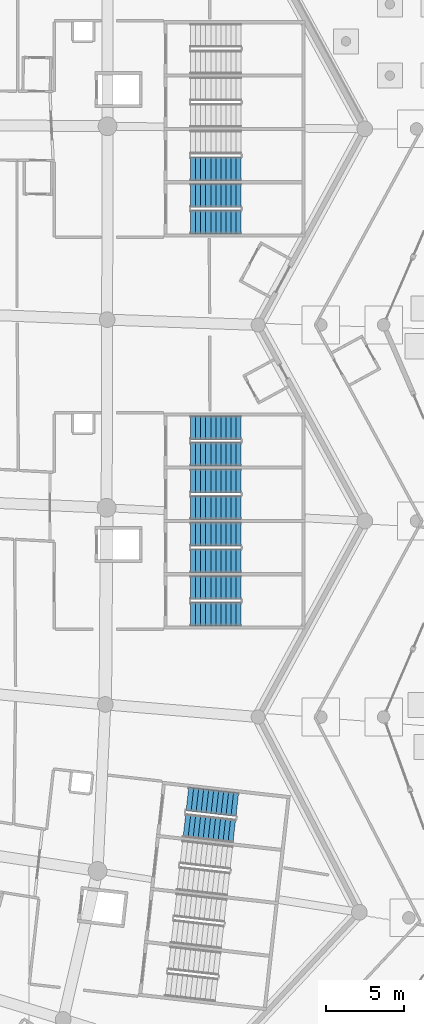
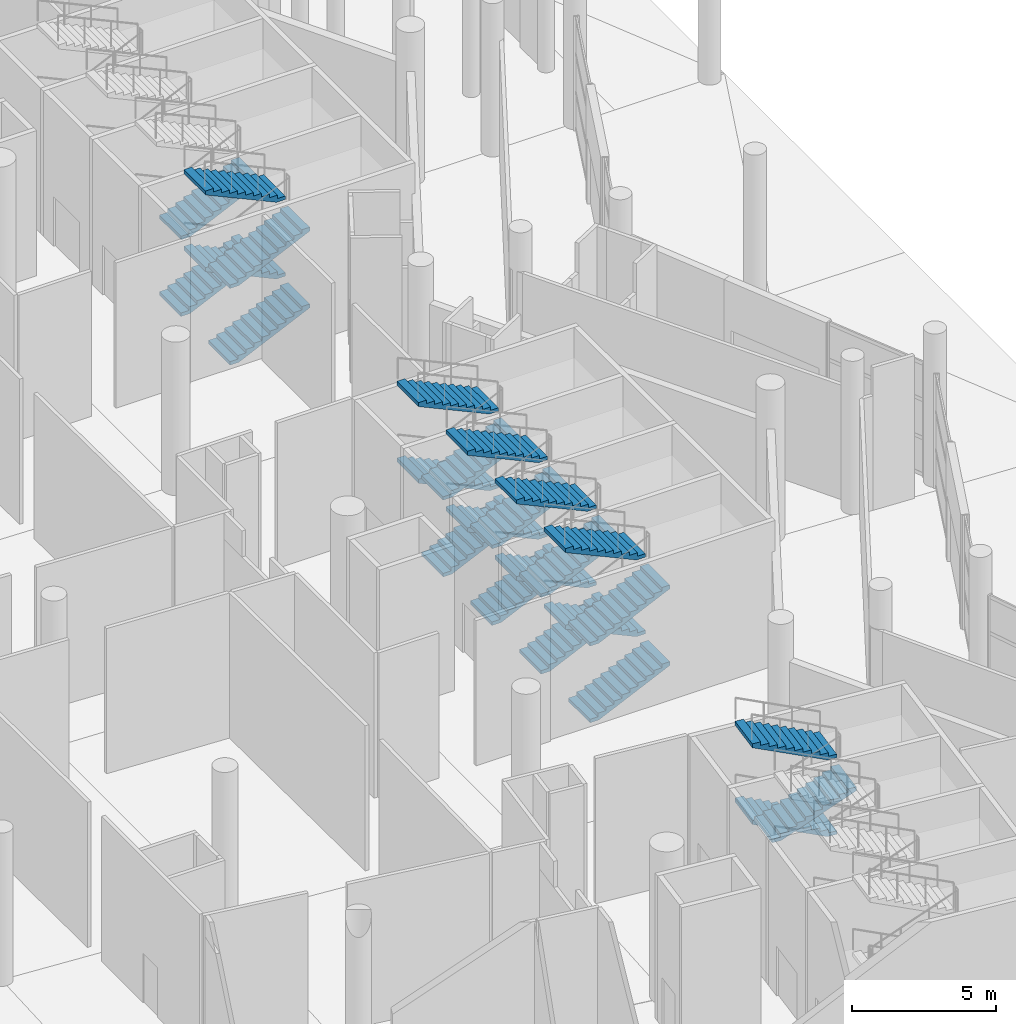
# One storey, part 170 of 255: 25 stair flights, 7 elements without a shape of their own.
"""IFC4 building model written with IfcOpenShell, lengths in metres."""

import ifcopenshell
import ifcopenshell.guid

model = None  # the IFC model being written
_history = None  # IfcOwnerHistory: only IFC2X3 demands one
_inside = {}  # id of a spatial element -> (the spatial element, [elements in it])
_under = {}  # id of a project, library or spatial element -> (it, [spatial elements below it])
_declared = {}  # id of a project -> (the project, [libraries it declares])
_typed = {}  # id of a type object -> (the type object, [elements of that type])
_made_of = {}  # id of a material, layer set ... -> (it, [elements and type objects made of it])


def new_model(schema):
    """Start an empty IFC model of exactly this schema.

    Asked for "IFC4X3", IfcOpenShell would pick the latest addendum, in which some entities
    have other attributes; the version numbers below select the first issue.
    IFC2X3 requires an IfcOwnerHistory on every rooted entity: one is made here for all.
    """
    global model, _history
    if schema == "IFC4X3":
        model = ifcopenshell.file(schema_version=(4, 3, 0, 0))
    else:
        model = ifcopenshell.file(schema=schema)
    _inside.clear()
    _under.clear()
    _declared.clear()
    _typed.clear()
    _made_of.clear()
    _history = None
    if model.schema == "IFC2X3":
        org = make("IfcOrganization", Name="unknown")
        user = make(
            "IfcPersonAndOrganization",
            ThePerson=make("IfcPerson", FamilyName="unknown"),
            TheOrganization=org,
        )
        app = make(
            "IfcApplication",
            ApplicationDeveloper=org,
            Version="unknown",
            ApplicationFullName="unknown",
            ApplicationIdentifier="unknown",
        )
        _history = make(
            "IfcOwnerHistory",
            OwningUser=user,
            OwningApplication=app,
            ChangeAction="ADDED",
            CreationDate=0,
        )
    return model


def make(cls, **values):
    """One entity of the class cls with the attributes given. An attribute that is None is left unset."""
    return model.create_entity(
        cls, **{name: value for name, value in values.items() if value is not None}
    )


def rooted(cls, **values):
    """An entity with a GlobalId (a new one), such as an element, a storey or a relation."""
    return make(cls, GlobalId=ifcopenshell.guid.new(), OwnerHistory=_history, **values)


def si_unit(unit_type, name, prefix=None):
    """IfcSIUnit, for example si_unit("LENGTHUNIT", "METRE", prefix="MILLI")."""
    return make("IfcSIUnit", UnitType=unit_type, Prefix=prefix, Name=name)


def assignment(units):
    """IfcUnitAssignment: the units of a project."""
    return None if units is None else make("IfcUnitAssignment", Units=units)


def point(xyz):
    """IfcCartesianPoint."""
    return None if xyz is None else make("IfcCartesianPoint", Coordinates=xyz)


def direction(xyz):
    """IfcDirection."""
    return None if xyz is None else make("IfcDirection", DirectionRatios=xyz)


def frame(location, z_axis=None, x_axis=None):
    """IfcAxis2Placement3D, a coordinate frame: its origin and axes. An axis left out is left unset."""
    return make(
        "IfcAxis2Placement3D",
        Location=point(location),
        Axis=direction(z_axis),
        RefDirection=direction(x_axis),
    )


def origin():
    """The frame at (0, 0, 0) with its axes left unset."""
    return frame((0.0, 0.0, 0.0))


def place(relative_to, where):
    """IfcLocalPlacement: puts the frame where relative to a parent placement (None: the world)."""
    return make(
        "IfcLocalPlacement", PlacementRelTo=relative_to, RelativePlacement=where
    )


def context(
    kind, dimensions, precision=None, world=None, true_north=None, identifier=None
):
    """IfcGeometricRepresentationContext, for example the 3D "Model" context."""
    return make(
        "IfcGeometricRepresentationContext",
        ContextIdentifier=identifier,
        ContextType=kind,
        CoordinateSpaceDimension=dimensions,
        Precision=precision,
        WorldCoordinateSystem=world,
        TrueNorth=true_north,
    )


def subcontext(parent, identifier, kind, view, scale=None):
    """IfcGeometricRepresentationSubContext, for example "Body" below "Model"."""
    return make(
        "IfcGeometricRepresentationSubContext",
        ContextIdentifier=identifier,
        ContextType=kind,
        ParentContext=parent,
        TargetScale=scale,
        TargetView=view,
    )


def project(units=None, contexts=None):
    """IfcProject with its units and contexts."""
    return rooted(
        "IfcProject",
        Name="project",
        RepresentationContexts=contexts,
        UnitsInContext=assignment(units),
    )


def spatial(cls, under=None, at=None, **own):
    """A site, building, storey or space (cls), placed at a placement, below another one or the project."""
    s = rooted(cls, ObjectPlacement=at, **own)
    if under is not None:
        _under.setdefault(under.id(), (under, []))[1].append(s)
    return s


def polyline(points):
    """IfcPolyline through the points."""
    return make("IfcPolyline", Points=[point(p) for p in points])


def outline(outer, holes=None, kind="AREA"):
    """IfcArbitraryClosedProfileDef: a profile drawn as a closed curve; with holes, ...WithVoids."""
    if holes is None:
        return make("IfcArbitraryClosedProfileDef", ProfileType=kind, OuterCurve=outer)
    return make(
        "IfcArbitraryProfileDefWithVoids",
        ProfileType=kind,
        OuterCurve=outer,
        InnerCurves=holes,
    )


def extrude(swept, where, along, depth):
    """IfcExtrudedAreaSolid: the profile swept, set in the frame where, extruded along a direction by depth."""
    return make(
        "IfcExtrudedAreaSolid",
        SweptArea=swept,
        Position=where,
        ExtrudedDirection=direction(along),
        Depth=depth,
    )


def shape(context_of_items, identifier, shape_type, items):
    """IfcShapeRepresentation: the items that make up one representation, for example the "Body"."""
    return make(
        "IfcShapeRepresentation",
        ContextOfItems=context_of_items,
        RepresentationIdentifier=identifier,
        RepresentationType=shape_type,
        Items=items,
    )


def material(Name=None, Category=None):
    """IfcMaterial."""
    return make("IfcMaterial", Name=Name, Category=Category)


def made_of(thing, what):
    """Note that an element or type object is made of a material, layer set ...; save() writes the relation."""
    if what is not None:
        _made_of.setdefault(what.id(), (what, []))[1].append(thing)
    return thing


def type_object(cls, material=None, **own):
    """A type object (cls), such as IfcWallType, which elements share."""
    return made_of(rooted(cls, **own), material)


def element(
    cls,
    number,
    at=None,
    inside=None,
    cuts=None,
    type_object=None,
    material=None,
    context=None,
    identifier="Body",
    shape_type=None,
    held_by="IfcProductDefinitionShape",
    body=None,
    shapes=None,
    **own,
):
    """One element of the class cls, such as IfcWall. Its Tag is "e" and its number.

    at: its placement. inside: the storey or other place that contains it. cuts: it is an
    opening in that element (IfcRelVoidsElement). A single representation is given by context,
    identifier, shape_type and body (its items); several are given by shapes. held_by: the class
    of the entity that holds the representations. save() writes the other relations.
    """
    e = rooted(cls, Tag="e%d" % number, ObjectPlacement=at, **own)
    if body is not None:
        shapes = [shape(context, identifier, shape_type, body)]
    if shapes is not None:
        e.Representation = make(held_by, Representations=shapes)
    if inside is not None:
        _inside.setdefault(inside.id(), (inside, []))[1].append(e)
    if cuts is not None:
        rooted(
            "IfcRelVoidsElement", RelatingBuildingElement=cuts, RelatedOpeningElement=e
        )
    if type_object is not None:
        _typed.setdefault(type_object.id(), (type_object, []))[1].append(e)
    return made_of(e, material)


def aggregate(whole, parts):
    """IfcRelAggregates: a whole, such as a stair, and the parts it consists of."""
    return rooted("IfcRelAggregates", RelatingObject=whole, RelatedObjects=parts)


def save(model, path):
    """Write the relations noted so far, then the file.

    IfcRelAggregates (storeys below a building ...), IfcRelContainedInSpatialStructure (elements
    in a storey), IfcRelDefinesByType, IfcRelAssociatesMaterial and IfcRelDeclares: one each for
    every whole, place, type object, material and project.
    """
    for whole, parts in _under.values():
        aggregate(whole, parts)
    for where, things in _inside.values():
        rooted(
            "IfcRelContainedInSpatialStructure",
            RelatedElements=things,
            RelatingStructure=where,
        )
    for kind, things in _typed.values():
        rooted("IfcRelDefinesByType", RelatedObjects=things, RelatingType=kind)
    for what, things in _made_of.values():
        rooted("IfcRelAssociatesMaterial", RelatedObjects=things, RelatingMaterial=what)
    for by, libraries in _declared.values():
        rooted("IfcRelDeclares", RelatingContext=by, RelatedDefinitions=libraries)
    model.write(path)


model = new_model("IFC4")

# Units and contexts
model_context = context("Model", 3, precision=1e-05, world=origin(), true_north=direction((0.0, 1.0)))
body_context = subcontext(model_context, "Body", "Model", "MODEL_VIEW")
ifc_project = project(units=[si_unit("LENGTHUNIT", "METRE"), si_unit("AREAUNIT", "SQUARE_METRE"), si_unit("VOLUMEUNIT", "CUBIC_METRE"), si_unit("PLANEANGLEUNIT", "RADIAN"), si_unit("MASSUNIT", "GRAM", prefix="KILO")], contexts=[model_context])

# Site, building, storey
site_placement = place(None, origin())
site = spatial("IfcSite", under=ifc_project, at=site_placement, CompositionType="ELEMENT")
building_placement = place(site_placement, origin())
building = spatial("IfcBuilding", under=site, at=building_placement, Name="Meseta Stadium", CompositionType="ELEMENT")
storey_placement = place(building_placement, origin())
storey = spatial("IfcBuildingStorey", under=building, at=storey_placement, Name="L00", CompositionType="ELEMENT", Elevation=0.0)

# Stair, stair flights
ifc_material_1 = material(Name="Concrete C40/50", Category="concrete")
stair_type = type_object("IfcStairType", Name="Exit stair 4 flights 148 mm risers", PredefinedType="HALF_TURN_STAIR", material=ifc_material_1)
stair_1_placement = place(storey_placement, origin())
stair_1 = element("IfcStair", 1, at=stair_1_placement, inside=storey, type_object=stair_type, Name="ST4 L00", PredefinedType="HALF_TURN_STAIR")
ifc_material_2 = material(Name="Concrete C40/50", Category="concrete")
stair_flight_type = type_object("IfcStairFlightType", Name="Exit stair flight 148 mm risers, 4 per storey", PredefinedType="STRAIGHT", material=ifc_material_2)
stair_flight_1_placement = place(storey_placement, frame((93.271240234375, -49.338623046875, 1.625), z_axis=(0.0, 0.0, 1.0), x_axis=(-0.993712210731, 0.11196446867, 0.0)))
stair_flight_1 = element("IfcStairFlight", 2, at=stair_flight_1_placement, type_object=stair_flight_type, Name="ST4 L00 flight 2", NumberOfRisers=11, NumberOfTreads=10, PredefinedType="STRAIGHT", RiserHeight=0.147727273, TreadLength=0.32, context=body_context, shape_type="SweptSolid", body=[
    extrude(outline(polyline([(0.0, 0.0), (0.0, 0.147705078125), (0.320068359375, 0.147705078125), (0.320068359375, 0.29541015625), (0.639892578125, 0.29541015625), (0.639892578125, 0.443115234375), (0.9599609375, 0.443115234375), (0.9599609375, 0.5908203125), (1.280029296875, 0.5908203125), (1.280029296875, 0.738525390625), (1.60009765625, 0.738525390625), (1.60009765625, 0.886474609375), (1.919921875, 0.886474609375), (1.919921875, 1.0341796875), (2.239990234375, 1.0341796875), (2.239990234375, 1.181884765625), (2.56005859375, 1.181884765625), (2.56005859375, 1.32958984375), (2.8798828125, 1.32958984375), (2.8798828125, 1.477294921875), (3.199951171875, 1.477294921875), (3.199951171875, 1.312255859375), (0.357666015625, 0.0), (0.0, 0.0)])), frame((0.0, 0.75, 0.0), z_axis=(0.0, -1.0, 0.0), x_axis=(1.0, 0.0, 0.0)), (0.0, 0.0, 1.0), 1.5),
])
stair_flight_2_placement = place(storey_placement, frame((89.901123046875, -50.669677734375, 3.25), z_axis=(0.0, 0.0, 1.0), x_axis=(0.993712210731, -0.11196446867, 0.0)))
stair_flight_2 = element("IfcStairFlight", 3, at=stair_flight_2_placement, type_object=stair_flight_type, Name="ST4 L00 flight 3", NumberOfRisers=11, NumberOfTreads=10, PredefinedType="STRAIGHT", RiserHeight=0.147727273, TreadLength=0.32, context=body_context, shape_type="SweptSolid", body=[
    extrude(outline(polyline([(0.0, 0.0), (0.0, 0.147705078125), (0.320068359375, 0.147705078125), (0.320068359375, 0.29541015625), (0.639892578125, 0.29541015625), (0.639892578125, 0.443115234375), (0.9599609375, 0.443115234375), (0.9599609375, 0.5908203125), (1.280029296875, 0.5908203125), (1.280029296875, 0.738525390625), (1.60009765625, 0.738525390625), (1.60009765625, 0.886474609375), (1.919921875, 0.886474609375), (1.919921875, 1.0341796875), (2.239990234375, 1.0341796875), (2.239990234375, 1.181884765625), (2.56005859375, 1.181884765625), (2.56005859375, 1.32958984375), (2.8798828125, 1.32958984375), (2.8798828125, 1.477294921875), (3.199951171875, 1.477294921875), (3.199951171875, 1.312255859375), (0.357666015625, 0.0), (0.0, 0.0)])), frame((0.0, 0.75, 0.0), z_axis=(0.0, -1.0, 0.0), x_axis=(1.0, 0.0, 0.0)), (0.0, 0.0, 1.0), 1.5),
])
stair_flight_3_placement = place(storey_placement, frame((93.271240234375, -49.338623046875, 4.875), z_axis=(0.0, 0.0, 1.0), x_axis=(-0.993712210731, 0.11196446867, 0.0)))
stair_flight_3 = element("IfcStairFlight", 4, at=stair_flight_3_placement, type_object=stair_flight_type, Name="ST4 L00 flight 4", NumberOfRisers=11, NumberOfTreads=10, PredefinedType="STRAIGHT", RiserHeight=0.147727273, TreadLength=0.32, context=body_context, shape_type="SweptSolid", body=[
    extrude(outline(polyline([(0.0, 0.0), (0.0, 0.147705078125), (0.320068359375, 0.147705078125), (0.320068359375, 0.29541015625), (0.639892578125, 0.29541015625), (0.639892578125, 0.443115234375), (0.9599609375, 0.443115234375), (0.9599609375, 0.5908203125), (1.280029296875, 0.5908203125), (1.280029296875, 0.738525390625), (1.60009765625, 0.738525390625), (1.60009765625, 0.886474609375), (1.919921875, 0.886474609375), (1.919921875, 1.0341796875), (2.239990234375, 1.0341796875), (2.239990234375, 1.181884765625), (2.56005859375, 1.181884765625), (2.56005859375, 1.32958984375), (2.8798828125, 1.32958984375), (2.8798828125, 1.477294921875), (3.199951171875, 1.477294921875), (3.199951171875, 1.312255859375), (0.357666015625, 0.0), (0.0, 0.0)])), frame((0.0, 0.75, 0.0), z_axis=(0.0, -1.0, 0.0), x_axis=(1.0, 0.0, 0.0)), (0.0, 0.0, 1.0), 1.5),
])
aggregate(stair_1, [stair_flight_1, stair_flight_2, stair_flight_3])

stair_2_placement = place(storey_placement, origin())
stair_2 = element("IfcStair", 5, at=stair_2_placement, inside=storey, type_object=stair_type, Name="ST5 L00", PredefinedType="HALF_TURN_STAIR")
stair_flight_4_placement = place(storey_placement, frame((90.300048828125, -37.199951171875, 0.0), z_axis=(0.0, 0.0, 1.0), x_axis=(1.0, 0.0, 0.0)))
stair_flight_4 = element("IfcStairFlight", 6, at=stair_flight_4_placement, type_object=stair_flight_type, Name="ST5 L00 flight 1", NumberOfRisers=11, NumberOfTreads=10, PredefinedType="STRAIGHT", RiserHeight=0.147727273, TreadLength=0.32, context=body_context, shape_type="SweptSolid", body=[
    extrude(outline(polyline([(0.0, 0.0), (0.0, 0.147705078125), (0.320068359375, 0.147705078125), (0.320068359375, 0.29541015625), (0.639892578125, 0.29541015625), (0.639892578125, 0.443115234375), (0.9599609375, 0.443115234375), (0.9599609375, 0.5908203125), (1.280029296875, 0.5908203125), (1.280029296875, 0.738525390625), (1.60009765625, 0.738525390625), (1.60009765625, 0.886474609375), (1.919921875, 0.886474609375), (1.919921875, 1.0341796875), (2.239990234375, 1.0341796875), (2.239990234375, 1.181884765625), (2.56005859375, 1.181884765625), (2.56005859375, 1.32958984375), (2.8798828125, 1.32958984375), (2.8798828125, 1.477294921875), (3.199951171875, 1.477294921875), (3.199951171875, 1.312255859375), (0.357666015625, 0.0), (0.0, 0.0)])), frame((0.0, 0.75, 0.0), z_axis=(0.0, -1.0, 0.0), x_axis=(1.0, 0.0, 0.0)), (0.0, 0.0, 1.0), 1.5),
])
stair_flight_5_placement = place(storey_placement, frame((93.5, -35.5, 1.625), z_axis=(0.0, 0.0, 1.0), x_axis=(-1.0, 0.0, 0.0)))
stair_flight_5 = element("IfcStairFlight", 7, at=stair_flight_5_placement, type_object=stair_flight_type, Name="ST5 L00 flight 2", NumberOfRisers=11, NumberOfTreads=10, PredefinedType="STRAIGHT", RiserHeight=0.147727273, TreadLength=0.32, context=body_context, shape_type="SweptSolid", body=[
    extrude(outline(polyline([(0.0, 0.0), (0.0, 0.147705078125), (0.320068359375, 0.147705078125), (0.320068359375, 0.29541015625), (0.639892578125, 0.29541015625), (0.639892578125, 0.443115234375), (0.9599609375, 0.443115234375), (0.9599609375, 0.5908203125), (1.280029296875, 0.5908203125), (1.280029296875, 0.738525390625), (1.60009765625, 0.738525390625), (1.60009765625, 0.886474609375), (1.919921875, 0.886474609375), (1.919921875, 1.0341796875), (2.239990234375, 1.0341796875), (2.239990234375, 1.181884765625), (2.56005859375, 1.181884765625), (2.56005859375, 1.32958984375), (2.8798828125, 1.32958984375), (2.8798828125, 1.477294921875), (3.199951171875, 1.477294921875), (3.199951171875, 1.312255859375), (0.357666015625, 0.0), (0.0, 0.0)])), frame((0.0, 0.75, 0.0), z_axis=(0.0, -1.0, 0.0), x_axis=(1.0, 0.0, 0.0)), (0.0, 0.0, 1.0), 1.5),
])
stair_flight_6_placement = place(storey_placement, frame((90.300048828125, -37.199951171875, 3.25), z_axis=(0.0, 0.0, 1.0), x_axis=(1.0, 0.0, 0.0)))
stair_flight_6 = element("IfcStairFlight", 8, at=stair_flight_6_placement, type_object=stair_flight_type, Name="ST5 L00 flight 3", NumberOfRisers=11, NumberOfTreads=10, PredefinedType="STRAIGHT", RiserHeight=0.147727273, TreadLength=0.32, context=body_context, shape_type="SweptSolid", body=[
    extrude(outline(polyline([(0.0, 0.0), (0.0, 0.147705078125), (0.320068359375, 0.147705078125), (0.320068359375, 0.29541015625), (0.639892578125, 0.29541015625), (0.639892578125, 0.443115234375), (0.9599609375, 0.443115234375), (0.9599609375, 0.5908203125), (1.280029296875, 0.5908203125), (1.280029296875, 0.738525390625), (1.60009765625, 0.738525390625), (1.60009765625, 0.886474609375), (1.919921875, 0.886474609375), (1.919921875, 1.0341796875), (2.239990234375, 1.0341796875), (2.239990234375, 1.181884765625), (2.56005859375, 1.181884765625), (2.56005859375, 1.32958984375), (2.8798828125, 1.32958984375), (2.8798828125, 1.477294921875), (3.199951171875, 1.477294921875), (3.199951171875, 1.312255859375), (0.357666015625, 0.0), (0.0, 0.0)])), frame((0.0, 0.75, 0.0), z_axis=(0.0, -1.0, 0.0), x_axis=(1.0, 0.0, 0.0)), (0.0, 0.0, 1.0), 1.5),
])
stair_flight_7_placement = place(storey_placement, frame((93.5, -35.5, 4.875), z_axis=(0.0, 0.0, 1.0), x_axis=(-1.0, 0.0, 0.0)))
stair_flight_7 = element("IfcStairFlight", 9, at=stair_flight_7_placement, type_object=stair_flight_type, Name="ST5 L00 flight 4", NumberOfRisers=11, NumberOfTreads=10, PredefinedType="STRAIGHT", RiserHeight=0.147727273, TreadLength=0.32, context=body_context, shape_type="SweptSolid", body=[
    extrude(outline(polyline([(0.0, 0.0), (0.0, 0.147705078125), (0.320068359375, 0.147705078125), (0.320068359375, 0.29541015625), (0.639892578125, 0.29541015625), (0.639892578125, 0.443115234375), (0.9599609375, 0.443115234375), (0.9599609375, 0.5908203125), (1.280029296875, 0.5908203125), (1.280029296875, 0.738525390625), (1.60009765625, 0.738525390625), (1.60009765625, 0.886474609375), (1.919921875, 0.886474609375), (1.919921875, 1.0341796875), (2.239990234375, 1.0341796875), (2.239990234375, 1.181884765625), (2.56005859375, 1.181884765625), (2.56005859375, 1.32958984375), (2.8798828125, 1.32958984375), (2.8798828125, 1.477294921875), (3.199951171875, 1.477294921875), (3.199951171875, 1.312255859375), (0.357666015625, 0.0), (0.0, 0.0)])), frame((0.0, 0.75, 0.0), z_axis=(0.0, -1.0, 0.0), x_axis=(1.0, 0.0, 0.0)), (0.0, 0.0, 1.0), 1.5),
])
aggregate(stair_2, [stair_flight_4, stair_flight_5, stair_flight_6, stair_flight_7])

stair_3_placement = place(storey_placement, origin())
stair_3 = element("IfcStair", 10, at=stair_3_placement, inside=storey, type_object=stair_type, Name="ST6 L00", PredefinedType="HALF_TURN_STAIR")
stair_flight_8_placement = place(storey_placement, frame((90.300048828125, -33.800048828125, 0.0), z_axis=(0.0, 0.0, 1.0), x_axis=(1.0, 0.0, 0.0)))
stair_flight_8 = element("IfcStairFlight", 11, at=stair_flight_8_placement, type_object=stair_flight_type, Name="ST6 L00 flight 1", NumberOfRisers=11, NumberOfTreads=10, PredefinedType="STRAIGHT", RiserHeight=0.147727273, TreadLength=0.32, context=body_context, shape_type="SweptSolid", body=[
    extrude(outline(polyline([(0.0, 0.0), (0.0, 0.147705078125), (0.320068359375, 0.147705078125), (0.320068359375, 0.29541015625), (0.639892578125, 0.29541015625), (0.639892578125, 0.443115234375), (0.9599609375, 0.443115234375), (0.9599609375, 0.5908203125), (1.280029296875, 0.5908203125), (1.280029296875, 0.738525390625), (1.60009765625, 0.738525390625), (1.60009765625, 0.886474609375), (1.919921875, 0.886474609375), (1.919921875, 1.0341796875), (2.239990234375, 1.0341796875), (2.239990234375, 1.181884765625), (2.56005859375, 1.181884765625), (2.56005859375, 1.32958984375), (2.8798828125, 1.32958984375), (2.8798828125, 1.477294921875), (3.199951171875, 1.477294921875), (3.199951171875, 1.312255859375), (0.357666015625, 0.0), (0.0, 0.0)])), frame((0.0, 0.75, 0.0), z_axis=(0.0, -1.0, 0.0), x_axis=(1.0, 0.0, 0.0)), (0.0, 0.0, 1.0), 1.5),
])
stair_flight_9_placement = place(storey_placement, frame((93.5, -32.10009765625, 1.625), z_axis=(0.0, 0.0, 1.0), x_axis=(-1.0, 0.0, 0.0)))
stair_flight_9 = element("IfcStairFlight", 12, at=stair_flight_9_placement, type_object=stair_flight_type, Name="ST6 L00 flight 2", NumberOfRisers=11, NumberOfTreads=10, PredefinedType="STRAIGHT", RiserHeight=0.147727273, TreadLength=0.32, context=body_context, shape_type="SweptSolid", body=[
    extrude(outline(polyline([(0.0, 0.0), (0.0, 0.147705078125), (0.320068359375, 0.147705078125), (0.320068359375, 0.29541015625), (0.639892578125, 0.29541015625), (0.639892578125, 0.443115234375), (0.9599609375, 0.443115234375), (0.9599609375, 0.5908203125), (1.280029296875, 0.5908203125), (1.280029296875, 0.738525390625), (1.60009765625, 0.738525390625), (1.60009765625, 0.886474609375), (1.919921875, 0.886474609375), (1.919921875, 1.0341796875), (2.239990234375, 1.0341796875), (2.239990234375, 1.181884765625), (2.56005859375, 1.181884765625), (2.56005859375, 1.32958984375), (2.8798828125, 1.32958984375), (2.8798828125, 1.477294921875), (3.199951171875, 1.477294921875), (3.199951171875, 1.312255859375), (0.357666015625, 0.0), (0.0, 0.0)])), frame((0.0, 0.75, 0.0), z_axis=(0.0, -1.0, 0.0), x_axis=(1.0, 0.0, 0.0)), (0.0, 0.0, 1.0), 1.5),
])
stair_flight_10_placement = place(storey_placement, frame((90.300048828125, -33.800048828125, 3.25), z_axis=(0.0, 0.0, 1.0), x_axis=(1.0, 0.0, 0.0)))
stair_flight_10 = element("IfcStairFlight", 13, at=stair_flight_10_placement, type_object=stair_flight_type, Name="ST6 L00 flight 3", NumberOfRisers=11, NumberOfTreads=10, PredefinedType="STRAIGHT", RiserHeight=0.147727273, TreadLength=0.32, context=body_context, shape_type="SweptSolid", body=[
    extrude(outline(polyline([(0.0, 0.0), (0.0, 0.147705078125), (0.320068359375, 0.147705078125), (0.320068359375, 0.29541015625), (0.639892578125, 0.29541015625), (0.639892578125, 0.443115234375), (0.9599609375, 0.443115234375), (0.9599609375, 0.5908203125), (1.280029296875, 0.5908203125), (1.280029296875, 0.738525390625), (1.60009765625, 0.738525390625), (1.60009765625, 0.886474609375), (1.919921875, 0.886474609375), (1.919921875, 1.0341796875), (2.239990234375, 1.0341796875), (2.239990234375, 1.181884765625), (2.56005859375, 1.181884765625), (2.56005859375, 1.32958984375), (2.8798828125, 1.32958984375), (2.8798828125, 1.477294921875), (3.199951171875, 1.477294921875), (3.199951171875, 1.312255859375), (0.357666015625, 0.0), (0.0, 0.0)])), frame((0.0, 0.75, 0.0), z_axis=(0.0, -1.0, 0.0), x_axis=(1.0, 0.0, 0.0)), (0.0, 0.0, 1.0), 1.5),
])
stair_flight_11_placement = place(storey_placement, frame((93.5, -32.10009765625, 4.875), z_axis=(0.0, 0.0, 1.0), x_axis=(-1.0, 0.0, 0.0)))
stair_flight_11 = element("IfcStairFlight", 14, at=stair_flight_11_placement, type_object=stair_flight_type, Name="ST6 L00 flight 4", NumberOfRisers=11, NumberOfTreads=10, PredefinedType="STRAIGHT", RiserHeight=0.147727273, TreadLength=0.32, context=body_context, shape_type="SweptSolid", body=[
    extrude(outline(polyline([(0.0, 0.0), (0.0, 0.147705078125), (0.320068359375, 0.147705078125), (0.320068359375, 0.29541015625), (0.639892578125, 0.29541015625), (0.639892578125, 0.443115234375), (0.9599609375, 0.443115234375), (0.9599609375, 0.5908203125), (1.280029296875, 0.5908203125), (1.280029296875, 0.738525390625), (1.60009765625, 0.738525390625), (1.60009765625, 0.886474609375), (1.919921875, 0.886474609375), (1.919921875, 1.0341796875), (2.239990234375, 1.0341796875), (2.239990234375, 1.181884765625), (2.56005859375, 1.181884765625), (2.56005859375, 1.32958984375), (2.8798828125, 1.32958984375), (2.8798828125, 1.477294921875), (3.199951171875, 1.477294921875), (3.199951171875, 1.312255859375), (0.357666015625, 0.0), (0.0, 0.0)])), frame((0.0, 0.75, 0.0), z_axis=(0.0, -1.0, 0.0), x_axis=(1.0, 0.0, 0.0)), (0.0, 0.0, 1.0), 1.5),
])
aggregate(stair_3, [stair_flight_8, stair_flight_9, stair_flight_10, stair_flight_11])

stair_4_placement = place(storey_placement, origin())
stair_4 = element("IfcStair", 15, at=stair_4_placement, inside=storey, type_object=stair_type, Name="ST7 L00", PredefinedType="HALF_TURN_STAIR")
stair_flight_12_placement = place(storey_placement, frame((90.300048828125, -30.39990234375, 0.0), z_axis=(0.0, 0.0, 1.0), x_axis=(1.0, 0.0, 0.0)))
stair_flight_12 = element("IfcStairFlight", 16, at=stair_flight_12_placement, type_object=stair_flight_type, Name="ST7 L00 flight 1", NumberOfRisers=11, NumberOfTreads=10, PredefinedType="STRAIGHT", RiserHeight=0.147727273, TreadLength=0.32, context=body_context, shape_type="SweptSolid", body=[
    extrude(outline(polyline([(0.0, 0.0), (0.0, 0.147705078125), (0.320068359375, 0.147705078125), (0.320068359375, 0.29541015625), (0.639892578125, 0.29541015625), (0.639892578125, 0.443115234375), (0.9599609375, 0.443115234375), (0.9599609375, 0.5908203125), (1.280029296875, 0.5908203125), (1.280029296875, 0.738525390625), (1.60009765625, 0.738525390625), (1.60009765625, 0.886474609375), (1.919921875, 0.886474609375), (1.919921875, 1.0341796875), (2.239990234375, 1.0341796875), (2.239990234375, 1.181884765625), (2.56005859375, 1.181884765625), (2.56005859375, 1.32958984375), (2.8798828125, 1.32958984375), (2.8798828125, 1.477294921875), (3.199951171875, 1.477294921875), (3.199951171875, 1.312255859375), (0.357666015625, 0.0), (0.0, 0.0)])), frame((0.0, 0.75, 0.0), z_axis=(0.0, -1.0, 0.0), x_axis=(1.0, 0.0, 0.0)), (0.0, 0.0, 1.0), 1.5),
])
stair_flight_13_placement = place(storey_placement, frame((93.5, -28.699951171875, 1.625), z_axis=(0.0, 0.0, 1.0), x_axis=(-1.0, 0.0, 0.0)))
stair_flight_13 = element("IfcStairFlight", 17, at=stair_flight_13_placement, type_object=stair_flight_type, Name="ST7 L00 flight 2", NumberOfRisers=11, NumberOfTreads=10, PredefinedType="STRAIGHT", RiserHeight=0.147727273, TreadLength=0.32, context=body_context, shape_type="SweptSolid", body=[
    extrude(outline(polyline([(0.0, 0.0), (0.0, 0.147705078125), (0.320068359375, 0.147705078125), (0.320068359375, 0.29541015625), (0.639892578125, 0.29541015625), (0.639892578125, 0.443115234375), (0.9599609375, 0.443115234375), (0.9599609375, 0.5908203125), (1.280029296875, 0.5908203125), (1.280029296875, 0.738525390625), (1.60009765625, 0.738525390625), (1.60009765625, 0.886474609375), (1.919921875, 0.886474609375), (1.919921875, 1.0341796875), (2.239990234375, 1.0341796875), (2.239990234375, 1.181884765625), (2.56005859375, 1.181884765625), (2.56005859375, 1.32958984375), (2.8798828125, 1.32958984375), (2.8798828125, 1.477294921875), (3.199951171875, 1.477294921875), (3.199951171875, 1.312255859375), (0.357666015625, 0.0), (0.0, 0.0)])), frame((0.0, 0.75, 0.0), z_axis=(0.0, -1.0, 0.0), x_axis=(1.0, 0.0, 0.0)), (0.0, 0.0, 1.0), 1.5),
])
stair_flight_14_placement = place(storey_placement, frame((90.300048828125, -30.39990234375, 3.25), z_axis=(0.0, 0.0, 1.0), x_axis=(1.0, 0.0, 0.0)))
stair_flight_14 = element("IfcStairFlight", 18, at=stair_flight_14_placement, type_object=stair_flight_type, Name="ST7 L00 flight 3", NumberOfRisers=11, NumberOfTreads=10, PredefinedType="STRAIGHT", RiserHeight=0.147727273, TreadLength=0.32, context=body_context, shape_type="SweptSolid", body=[
    extrude(outline(polyline([(0.0, 0.0), (0.0, 0.147705078125), (0.320068359375, 0.147705078125), (0.320068359375, 0.29541015625), (0.639892578125, 0.29541015625), (0.639892578125, 0.443115234375), (0.9599609375, 0.443115234375), (0.9599609375, 0.5908203125), (1.280029296875, 0.5908203125), (1.280029296875, 0.738525390625), (1.60009765625, 0.738525390625), (1.60009765625, 0.886474609375), (1.919921875, 0.886474609375), (1.919921875, 1.0341796875), (2.239990234375, 1.0341796875), (2.239990234375, 1.181884765625), (2.56005859375, 1.181884765625), (2.56005859375, 1.32958984375), (2.8798828125, 1.32958984375), (2.8798828125, 1.477294921875), (3.199951171875, 1.477294921875), (3.199951171875, 1.312255859375), (0.357666015625, 0.0), (0.0, 0.0)])), frame((0.0, 0.75, 0.0), z_axis=(0.0, -1.0, 0.0), x_axis=(1.0, 0.0, 0.0)), (0.0, 0.0, 1.0), 1.5),
])
stair_flight_15_placement = place(storey_placement, frame((93.5, -28.699951171875, 4.875), z_axis=(0.0, 0.0, 1.0), x_axis=(-1.0, 0.0, 0.0)))
stair_flight_15 = element("IfcStairFlight", 19, at=stair_flight_15_placement, type_object=stair_flight_type, Name="ST7 L00 flight 4", NumberOfRisers=11, NumberOfTreads=10, PredefinedType="STRAIGHT", RiserHeight=0.147727273, TreadLength=0.32, context=body_context, shape_type="SweptSolid", body=[
    extrude(outline(polyline([(0.0, 0.0), (0.0, 0.147705078125), (0.320068359375, 0.147705078125), (0.320068359375, 0.29541015625), (0.639892578125, 0.29541015625), (0.639892578125, 0.443115234375), (0.9599609375, 0.443115234375), (0.9599609375, 0.5908203125), (1.280029296875, 0.5908203125), (1.280029296875, 0.738525390625), (1.60009765625, 0.738525390625), (1.60009765625, 0.886474609375), (1.919921875, 0.886474609375), (1.919921875, 1.0341796875), (2.239990234375, 1.0341796875), (2.239990234375, 1.181884765625), (2.56005859375, 1.181884765625), (2.56005859375, 1.32958984375), (2.8798828125, 1.32958984375), (2.8798828125, 1.477294921875), (3.199951171875, 1.477294921875), (3.199951171875, 1.312255859375), (0.357666015625, 0.0), (0.0, 0.0)])), frame((0.0, 0.75, 0.0), z_axis=(0.0, -1.0, 0.0), x_axis=(1.0, 0.0, 0.0)), (0.0, 0.0, 1.0), 1.5),
])
aggregate(stair_4, [stair_flight_12, stair_flight_13, stair_flight_14, stair_flight_15])

stair_5_placement = place(storey_placement, origin())
stair_5 = element("IfcStair", 20, at=stair_5_placement, inside=storey, type_object=stair_type, Name="ST8 L00", PredefinedType="HALF_TURN_STAIR")
stair_flight_16_placement = place(storey_placement, frame((90.300048828125, -27.0, 0.0), z_axis=(0.0, 0.0, 1.0), x_axis=(1.0, 0.0, 0.0)))
stair_flight_16 = element("IfcStairFlight", 21, at=stair_flight_16_placement, type_object=stair_flight_type, Name="ST8 L00 flight 1", NumberOfRisers=11, NumberOfTreads=10, PredefinedType="STRAIGHT", RiserHeight=0.147727273, TreadLength=0.32, context=body_context, shape_type="SweptSolid", body=[
    extrude(outline(polyline([(0.0, 0.0), (0.0, 0.147705078125), (0.320068359375, 0.147705078125), (0.320068359375, 0.29541015625), (0.639892578125, 0.29541015625), (0.639892578125, 0.443115234375), (0.9599609375, 0.443115234375), (0.9599609375, 0.5908203125), (1.280029296875, 0.5908203125), (1.280029296875, 0.738525390625), (1.60009765625, 0.738525390625), (1.60009765625, 0.886474609375), (1.919921875, 0.886474609375), (1.919921875, 1.0341796875), (2.239990234375, 1.0341796875), (2.239990234375, 1.181884765625), (2.56005859375, 1.181884765625), (2.56005859375, 1.32958984375), (2.8798828125, 1.32958984375), (2.8798828125, 1.477294921875), (3.199951171875, 1.477294921875), (3.199951171875, 1.312255859375), (0.357666015625, 0.0), (0.0, 0.0)])), frame((0.0, 0.75, 0.0), z_axis=(0.0, -1.0, 0.0), x_axis=(1.0, 0.0, 0.0)), (0.0, 0.0, 1.0), 1.5),
])
stair_flight_17_placement = place(storey_placement, frame((93.5, -25.300048828125, 1.625), z_axis=(0.0, 0.0, 1.0), x_axis=(-1.0, 0.0, 0.0)))
stair_flight_17 = element("IfcStairFlight", 22, at=stair_flight_17_placement, type_object=stair_flight_type, Name="ST8 L00 flight 2", NumberOfRisers=11, NumberOfTreads=10, PredefinedType="STRAIGHT", RiserHeight=0.147727273, TreadLength=0.32, context=body_context, shape_type="SweptSolid", body=[
    extrude(outline(polyline([(0.0, 0.0), (0.0, 0.147705078125), (0.320068359375, 0.147705078125), (0.320068359375, 0.29541015625), (0.639892578125, 0.29541015625), (0.639892578125, 0.443115234375), (0.9599609375, 0.443115234375), (0.9599609375, 0.5908203125), (1.280029296875, 0.5908203125), (1.280029296875, 0.738525390625), (1.60009765625, 0.738525390625), (1.60009765625, 0.886474609375), (1.919921875, 0.886474609375), (1.919921875, 1.0341796875), (2.239990234375, 1.0341796875), (2.239990234375, 1.181884765625), (2.56005859375, 1.181884765625), (2.56005859375, 1.32958984375), (2.8798828125, 1.32958984375), (2.8798828125, 1.477294921875), (3.199951171875, 1.477294921875), (3.199951171875, 1.312255859375), (0.357666015625, 0.0), (0.0, 0.0)])), frame((0.0, 0.75, 0.0), z_axis=(0.0, -1.0, 0.0), x_axis=(1.0, 0.0, 0.0)), (0.0, 0.0, 1.0), 1.5),
])
stair_flight_18_placement = place(storey_placement, frame((90.300048828125, -27.0, 3.25), z_axis=(0.0, 0.0, 1.0), x_axis=(1.0, 0.0, 0.0)))
stair_flight_18 = element("IfcStairFlight", 23, at=stair_flight_18_placement, type_object=stair_flight_type, Name="ST8 L00 flight 3", NumberOfRisers=11, NumberOfTreads=10, PredefinedType="STRAIGHT", RiserHeight=0.147727273, TreadLength=0.32, context=body_context, shape_type="SweptSolid", body=[
    extrude(outline(polyline([(0.0, 0.0), (0.0, 0.147705078125), (0.320068359375, 0.147705078125), (0.320068359375, 0.29541015625), (0.639892578125, 0.29541015625), (0.639892578125, 0.443115234375), (0.9599609375, 0.443115234375), (0.9599609375, 0.5908203125), (1.280029296875, 0.5908203125), (1.280029296875, 0.738525390625), (1.60009765625, 0.738525390625), (1.60009765625, 0.886474609375), (1.919921875, 0.886474609375), (1.919921875, 1.0341796875), (2.239990234375, 1.0341796875), (2.239990234375, 1.181884765625), (2.56005859375, 1.181884765625), (2.56005859375, 1.32958984375), (2.8798828125, 1.32958984375), (2.8798828125, 1.477294921875), (3.199951171875, 1.477294921875), (3.199951171875, 1.312255859375), (0.357666015625, 0.0), (0.0, 0.0)])), frame((0.0, 0.75, 0.0), z_axis=(0.0, -1.0, 0.0), x_axis=(1.0, 0.0, 0.0)), (0.0, 0.0, 1.0), 1.5),
])
stair_flight_19_placement = place(storey_placement, frame((93.5, -25.300048828125, 4.875), z_axis=(0.0, 0.0, 1.0), x_axis=(-1.0, 0.0, 0.0)))
stair_flight_19 = element("IfcStairFlight", 24, at=stair_flight_19_placement, type_object=stair_flight_type, Name="ST8 L00 flight 4", NumberOfRisers=11, NumberOfTreads=10, PredefinedType="STRAIGHT", RiserHeight=0.147727273, TreadLength=0.32, context=body_context, shape_type="SweptSolid", body=[
    extrude(outline(polyline([(0.0, 0.0), (0.0, 0.147705078125), (0.320068359375, 0.147705078125), (0.320068359375, 0.29541015625), (0.639892578125, 0.29541015625), (0.639892578125, 0.443115234375), (0.9599609375, 0.443115234375), (0.9599609375, 0.5908203125), (1.280029296875, 0.5908203125), (1.280029296875, 0.738525390625), (1.60009765625, 0.738525390625), (1.60009765625, 0.886474609375), (1.919921875, 0.886474609375), (1.919921875, 1.0341796875), (2.239990234375, 1.0341796875), (2.239990234375, 1.181884765625), (2.56005859375, 1.181884765625), (2.56005859375, 1.32958984375), (2.8798828125, 1.32958984375), (2.8798828125, 1.477294921875), (3.199951171875, 1.477294921875), (3.199951171875, 1.312255859375), (0.357666015625, 0.0), (0.0, 0.0)])), frame((0.0, 0.75, 0.0), z_axis=(0.0, -1.0, 0.0), x_axis=(1.0, 0.0, 0.0)), (0.0, 0.0, 1.0), 1.5),
])
aggregate(stair_5, [stair_flight_16, stair_flight_17, stair_flight_18, stair_flight_19])

stair_6_placement = place(storey_placement, origin())
stair_6 = element("IfcStair", 25, at=stair_6_placement, inside=storey, type_object=stair_type, Name="ST9 L00", PredefinedType="HALF_TURN_STAIR")
stair_flight_20_placement = place(storey_placement, frame((90.300048828125, -12.199951171875, 0.0), z_axis=(0.0, 0.0, 1.0), x_axis=(1.0, 0.0, 0.0)))
stair_flight_20 = element("IfcStairFlight", 26, at=stair_flight_20_placement, type_object=stair_flight_type, Name="ST9 L00 flight 1", NumberOfRisers=11, NumberOfTreads=10, PredefinedType="STRAIGHT", RiserHeight=0.147727273, TreadLength=0.32, context=body_context, shape_type="SweptSolid", body=[
    extrude(outline(polyline([(0.0, 0.0), (0.0, 0.147705078125), (0.320068359375, 0.147705078125), (0.320068359375, 0.29541015625), (0.639892578125, 0.29541015625), (0.639892578125, 0.443115234375), (0.9599609375, 0.443115234375), (0.9599609375, 0.5908203125), (1.280029296875, 0.5908203125), (1.280029296875, 0.738525390625), (1.60009765625, 0.738525390625), (1.60009765625, 0.886474609375), (1.919921875, 0.886474609375), (1.919921875, 1.0341796875), (2.239990234375, 1.0341796875), (2.239990234375, 1.181884765625), (2.56005859375, 1.181884765625), (2.56005859375, 1.32958984375), (2.8798828125, 1.32958984375), (2.8798828125, 1.477294921875), (3.199951171875, 1.477294921875), (3.199951171875, 1.312255859375), (0.357666015625, 0.0), (0.0, 0.0)])), frame((0.0, 0.75, 0.0), z_axis=(0.0, -1.0, 0.0), x_axis=(1.0, 0.0, 0.0)), (0.0, 0.0, 1.0), 1.5),
])
stair_flight_21_placement = place(storey_placement, frame((93.5, -10.5, 1.625), z_axis=(0.0, 0.0, 1.0), x_axis=(-1.0, 0.0, 0.0)))
stair_flight_21 = element("IfcStairFlight", 27, at=stair_flight_21_placement, type_object=stair_flight_type, Name="ST9 L00 flight 2", NumberOfRisers=11, NumberOfTreads=10, PredefinedType="STRAIGHT", RiserHeight=0.147727273, TreadLength=0.32, context=body_context, shape_type="SweptSolid", body=[
    extrude(outline(polyline([(0.0, 0.0), (0.0, 0.147705078125), (0.320068359375, 0.147705078125), (0.320068359375, 0.29541015625), (0.639892578125, 0.29541015625), (0.639892578125, 0.443115234375), (0.9599609375, 0.443115234375), (0.9599609375, 0.5908203125), (1.280029296875, 0.5908203125), (1.280029296875, 0.738525390625), (1.60009765625, 0.738525390625), (1.60009765625, 0.886474609375), (1.919921875, 0.886474609375), (1.919921875, 1.0341796875), (2.239990234375, 1.0341796875), (2.239990234375, 1.181884765625), (2.56005859375, 1.181884765625), (2.56005859375, 1.32958984375), (2.8798828125, 1.32958984375), (2.8798828125, 1.477294921875), (3.199951171875, 1.477294921875), (3.199951171875, 1.312255859375), (0.357666015625, 0.0), (0.0, 0.0)])), frame((0.0, 0.75, 0.0), z_axis=(0.0, -1.0, 0.0), x_axis=(1.0, 0.0, 0.0)), (0.0, 0.0, 1.0), 1.5),
])
stair_flight_22_placement = place(storey_placement, frame((90.300048828125, -12.199951171875, 3.25), z_axis=(0.0, 0.0, 1.0), x_axis=(1.0, 0.0, 0.0)))
stair_flight_22 = element("IfcStairFlight", 28, at=stair_flight_22_placement, type_object=stair_flight_type, Name="ST9 L00 flight 3", NumberOfRisers=11, NumberOfTreads=10, PredefinedType="STRAIGHT", RiserHeight=0.147727273, TreadLength=0.32, context=body_context, shape_type="SweptSolid", body=[
    extrude(outline(polyline([(0.0, 0.0), (0.0, 0.147705078125), (0.320068359375, 0.147705078125), (0.320068359375, 0.29541015625), (0.639892578125, 0.29541015625), (0.639892578125, 0.443115234375), (0.9599609375, 0.443115234375), (0.9599609375, 0.5908203125), (1.280029296875, 0.5908203125), (1.280029296875, 0.738525390625), (1.60009765625, 0.738525390625), (1.60009765625, 0.886474609375), (1.919921875, 0.886474609375), (1.919921875, 1.0341796875), (2.239990234375, 1.0341796875), (2.239990234375, 1.181884765625), (2.56005859375, 1.181884765625), (2.56005859375, 1.32958984375), (2.8798828125, 1.32958984375), (2.8798828125, 1.477294921875), (3.199951171875, 1.477294921875), (3.199951171875, 1.312255859375), (0.357666015625, 0.0), (0.0, 0.0)])), frame((0.0, 0.75, 0.0), z_axis=(0.0, -1.0, 0.0), x_axis=(1.0, 0.0, 0.0)), (0.0, 0.0, 1.0), 1.5),
])
stair_flight_23_placement = place(storey_placement, frame((93.5, -10.5, 4.875), z_axis=(0.0, 0.0, 1.0), x_axis=(-1.0, 0.0, 0.0)))
stair_flight_23 = element("IfcStairFlight", 29, at=stair_flight_23_placement, type_object=stair_flight_type, Name="ST9 L00 flight 4", NumberOfRisers=11, NumberOfTreads=10, PredefinedType="STRAIGHT", RiserHeight=0.147727273, TreadLength=0.32, context=body_context, shape_type="SweptSolid", body=[
    extrude(outline(polyline([(0.0, 0.0), (0.0, 0.147705078125), (0.320068359375, 0.147705078125), (0.320068359375, 0.29541015625), (0.639892578125, 0.29541015625), (0.639892578125, 0.443115234375), (0.9599609375, 0.443115234375), (0.9599609375, 0.5908203125), (1.280029296875, 0.5908203125), (1.280029296875, 0.738525390625), (1.60009765625, 0.738525390625), (1.60009765625, 0.886474609375), (1.919921875, 0.886474609375), (1.919921875, 1.0341796875), (2.239990234375, 1.0341796875), (2.239990234375, 1.181884765625), (2.56005859375, 1.181884765625), (2.56005859375, 1.32958984375), (2.8798828125, 1.32958984375), (2.8798828125, 1.477294921875), (3.199951171875, 1.477294921875), (3.199951171875, 1.312255859375), (0.357666015625, 0.0), (0.0, 0.0)])), frame((0.0, 0.75, 0.0), z_axis=(0.0, -1.0, 0.0), x_axis=(1.0, 0.0, 0.0)), (0.0, 0.0, 1.0), 1.5),
])
aggregate(stair_6, [stair_flight_20, stair_flight_21, stair_flight_22, stair_flight_23])

stair_7_placement = place(storey_placement, origin())
stair_7 = element("IfcStair", 30, at=stair_7_placement, inside=storey, type_object=stair_type, Name="ST10 L00", PredefinedType="HALF_TURN_STAIR")
stair_flight_24_placement = place(storey_placement, frame((90.300048828125, -8.800048828125, 0.0), z_axis=(0.0, 0.0, 1.0), x_axis=(1.0, 0.0, 0.0)))
stair_flight_24 = element("IfcStairFlight", 31, at=stair_flight_24_placement, type_object=stair_flight_type, Name="ST10 L00 flight 1", NumberOfRisers=11, NumberOfTreads=10, PredefinedType="STRAIGHT", RiserHeight=0.147727273, TreadLength=0.32, context=body_context, shape_type="SweptSolid", body=[
    extrude(outline(polyline([(0.0, 0.0), (0.0, 0.147705078125), (0.320068359375, 0.147705078125), (0.320068359375, 0.29541015625), (0.639892578125, 0.29541015625), (0.639892578125, 0.443115234375), (0.9599609375, 0.443115234375), (0.9599609375, 0.5908203125), (1.280029296875, 0.5908203125), (1.280029296875, 0.738525390625), (1.60009765625, 0.738525390625), (1.60009765625, 0.886474609375), (1.919921875, 0.886474609375), (1.919921875, 1.0341796875), (2.239990234375, 1.0341796875), (2.239990234375, 1.181884765625), (2.56005859375, 1.181884765625), (2.56005859375, 1.32958984375), (2.8798828125, 1.32958984375), (2.8798828125, 1.477294921875), (3.199951171875, 1.477294921875), (3.199951171875, 1.312255859375), (0.357666015625, 0.0), (0.0, 0.0)])), frame((0.0, 0.75, 0.0), z_axis=(0.0, -1.0, 0.0), x_axis=(1.0, 0.0, 0.0)), (0.0, 0.0, 1.0), 1.5),
])
stair_flight_25_placement = place(storey_placement, frame((90.300048828125, -8.800048828125, 3.25), z_axis=(0.0, 0.0, 1.0), x_axis=(1.0, 0.0, 0.0)))
stair_flight_25 = element("IfcStairFlight", 32, at=stair_flight_25_placement, type_object=stair_flight_type, Name="ST10 L00 flight 3", NumberOfRisers=11, NumberOfTreads=10, PredefinedType="STRAIGHT", RiserHeight=0.147727273, TreadLength=0.32, context=body_context, shape_type="SweptSolid", body=[
    extrude(outline(polyline([(0.0, 0.0), (0.0, 0.147705078125), (0.320068359375, 0.147705078125), (0.320068359375, 0.29541015625), (0.639892578125, 0.29541015625), (0.639892578125, 0.443115234375), (0.9599609375, 0.443115234375), (0.9599609375, 0.5908203125), (1.280029296875, 0.5908203125), (1.280029296875, 0.738525390625), (1.60009765625, 0.738525390625), (1.60009765625, 0.886474609375), (1.919921875, 0.886474609375), (1.919921875, 1.0341796875), (2.239990234375, 1.0341796875), (2.239990234375, 1.181884765625), (2.56005859375, 1.181884765625), (2.56005859375, 1.32958984375), (2.8798828125, 1.32958984375), (2.8798828125, 1.477294921875), (3.199951171875, 1.477294921875), (3.199951171875, 1.312255859375), (0.357666015625, 0.0), (0.0, 0.0)])), frame((0.0, 0.75, 0.0), z_axis=(0.0, -1.0, 0.0), x_axis=(1.0, 0.0, 0.0)), (0.0, 0.0, 1.0), 1.5),
])
aggregate(stair_7, [stair_flight_24, stair_flight_25])

save(model, "model.ifc")
